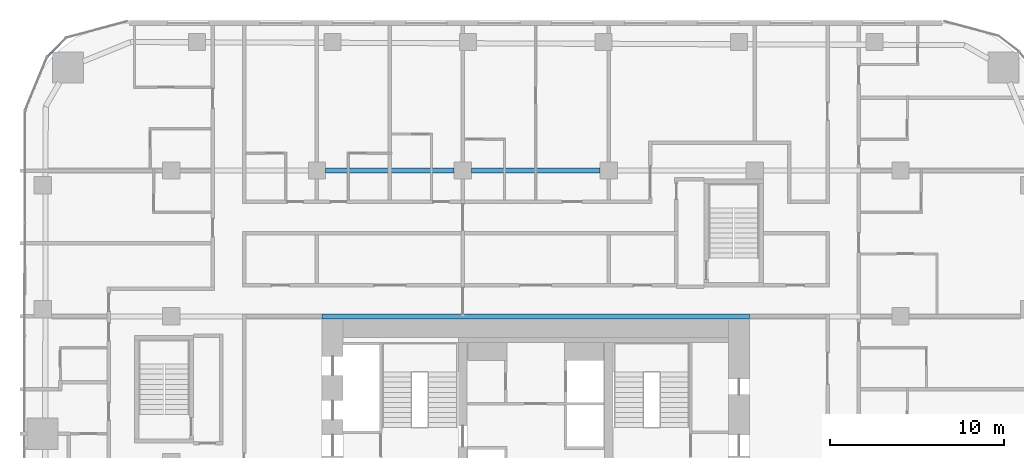
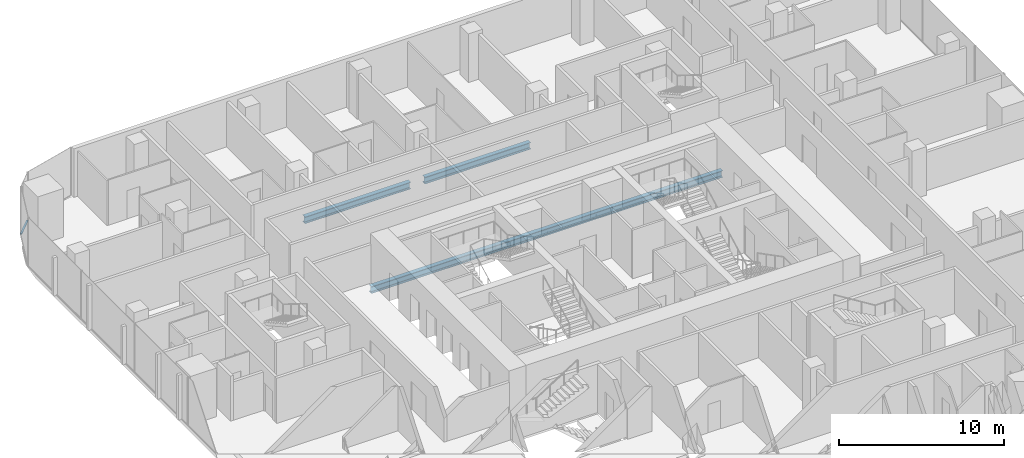
# One storey, part 9 of 26: 3 beams, 1 member, 1 element without a shape of its own.
"""IFC4 building model written with IfcOpenShell, lengths in metres."""

from ifc_helpers import new_model, si_unit, direction, frame, origin, origin_2d, place, context, subcontext, project, spatial, rectangle, i_section, extrude, material, layer, layer_set, material_profile, profile_set, type_object, element, aggregate, save


model = new_model("IFC4")

# Units and contexts
model_context = context("Model", 3, precision=1e-05, world=origin(), true_north=direction((0.0, 1.0)))
body_context = subcontext(model_context, "Body", "Model", "MODEL_VIEW")
ifc_project = project(units=[si_unit("LENGTHUNIT", "METRE"), si_unit("AREAUNIT", "SQUARE_METRE"), si_unit("VOLUMEUNIT", "CUBIC_METRE"), si_unit("PLANEANGLEUNIT", "RADIAN"), si_unit("MASSUNIT", "GRAM", prefix="KILO")], contexts=[model_context])

# Site, building, storey
site_placement = place(None, origin())
site = spatial("IfcSite", under=ifc_project, at=site_placement, CompositionType="ELEMENT")
building_placement = place(site_placement, origin())
building = spatial("IfcBuilding", under=site, at=building_placement, Name="Marenta Gate Hotel Tower", CompositionType="ELEMENT")
storey_placement = place(building_placement, frame((0.0, 0.0, 43.699951171875)))
storey = spatial("IfcBuildingStorey", under=building, at=storey_placement, Name="L08", CompositionType="ELEMENT", Elevation=43.699951171875)

# Beams
ifc_material_1 = material(Name="Steel S355", Category="steel")
ifc_material_profile_1 = material_profile(ifc_material_1, i_section(OverallWidth=0.300048828125, OverallDepth=0.5, WebThickness=0.014404296875, FlangeThickness=0.028076171875, FilletRadius=0.027099609375, at=origin_2d()), Name="HEB 500")
ifc_profile_set_1 = profile_set([ifc_material_profile_1], Name="Steel S355")
beam_type = type_object("IfcBeamType", Name="Girder HEB 500", PredefinedType="BEAM", material=ifc_profile_set_1)
beam_1_placement = place(storey_placement, frame((-12.300048828125, 16.800048828125, -0.510009765625), z_axis=(1.0, 0.0, 0.0), x_axis=(0.0, 1.0, 0.0)))
element("IfcBeam", 1, at=beam_1_placement, inside=storey, type_object=beam_type, Name="L08-GD-19", PredefinedType="BEAM", context=body_context, shape_type="SweptSolid", body=[
    extrude(i_section(OverallWidth=0.300048828125, OverallDepth=0.5, WebThickness=0.014404296875, FlangeThickness=0.028076171875, FilletRadius=0.027099609375, at=origin_2d()), origin(), (0.0, 0.0, 1.0), 24.60009765625),
])
beam_2_placement = place(storey_placement, frame((-12.10009765625, 25.199951171875, -0.510009765625), z_axis=(1.0, 0.0, 0.0), x_axis=(0.0, 1.0, 0.0)))
element("IfcBeam", 2, at=beam_2_placement, inside=storey, type_object=beam_type, Name="L08-GD-24", PredefinedType="BEAM", context=body_context, shape_type="SweptSolid", body=[
    extrude(i_section(OverallWidth=0.300048828125, OverallDepth=0.5, WebThickness=0.014404296875, FlangeThickness=0.028076171875, FilletRadius=0.027099609375, at=origin_2d()), origin(), (0.0, 0.0, 1.0), 7.400146484375),
])
beam_3_placement = place(storey_placement, frame((-3.699951171875, 25.199951171875, -0.510009765625), z_axis=(1.0, 0.0, 0.0), x_axis=(0.0, 1.0, 0.0)))
element("IfcBeam", 3, at=beam_3_placement, inside=storey, type_object=beam_type, Name="L08-GD-25", PredefinedType="BEAM", context=body_context, shape_type="SweptSolid", body=[
    extrude(i_section(OverallWidth=0.300048828125, OverallDepth=0.5, WebThickness=0.014404296875, FlangeThickness=0.028076171875, FilletRadius=0.027099609375, at=origin_2d()), origin(), (0.0, 0.0, 1.0), 7.39990234375),
])

# Curtain wall, member
ifc_material_2 = material(Name="Tinted insulated glass in bronze anodised frame", Category="glass")
ifc_layer = layer(ifc_material_2, 0.1201171875)
ifc_layer_set = layer_set([ifc_layer], Name="Tinted insulated glass in bronze anodised frame")
curtain_wall_type = type_object("IfcCurtainWallType", Name="Tower unitised curtain wall CW1", PredefinedType="NOTDEFINED", material=ifc_layer_set)
curtain_wall_placement = place(storey_placement, origin())
curtain_wall = element("IfcCurtainWall", 4, at=curtain_wall_placement, inside=storey, type_object=curtain_wall_type, Name="CW1 run G01", PredefinedType="NOTDEFINED")
ifc_material_3 = material(Name="Bronze anodised aluminium", Category="aluminium")
ifc_material_profile_2 = material_profile(ifc_material_3, rectangle(XDim=0.1201171875, YDim=0.06005859375, at=origin_2d()), Name="Transom CW1 60x120 bronze anodised aluminium")
ifc_profile_set_2 = profile_set([ifc_material_profile_2], Name="Bronze anodised aluminium")
member_type = type_object("IfcMemberType", Name="Transom CW1 60x120 bronze anodised aluminium", PredefinedType="USERDEFINED", material=ifc_profile_set_2)
member_placement = place(storey_placement, frame((-27.082275390625, 32.80859375, 0.030029296875), z_axis=(-0.707106781187, -0.707106781187, 0.0), x_axis=(0.707106781187, -0.707106781187, 0.0)))
member = element("IfcMember", 5, at=member_placement, type_object=member_type, Name="CW1 transom 1.1", ObjectType="TRANSOM", PredefinedType="USERDEFINED", context=body_context, shape_type="SweptSolid", body=[
    extrude(rectangle(XDim=0.1201171875, YDim=0.06005859375, at=origin_2d()), origin(), (0.0, 0.0, 1.0), 1.48291015625),
])
aggregate(curtain_wall, [member])

save(model, "model.ifc")
